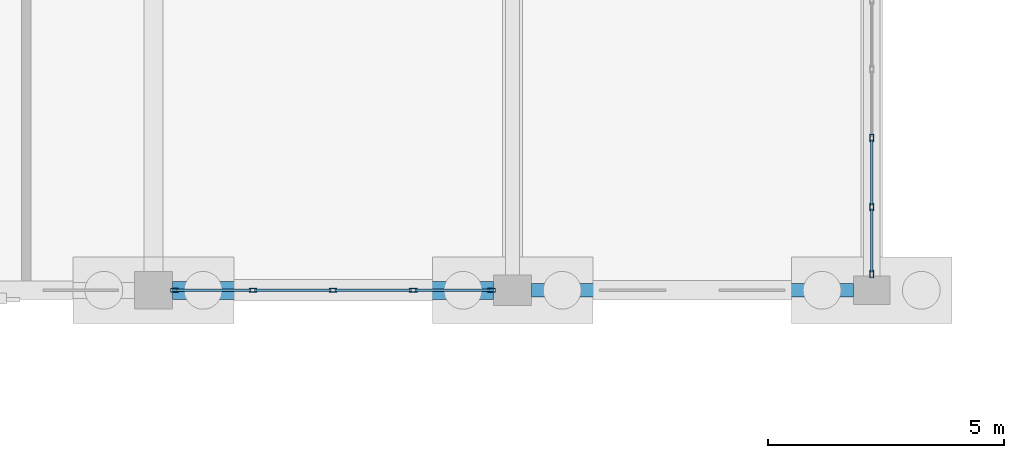
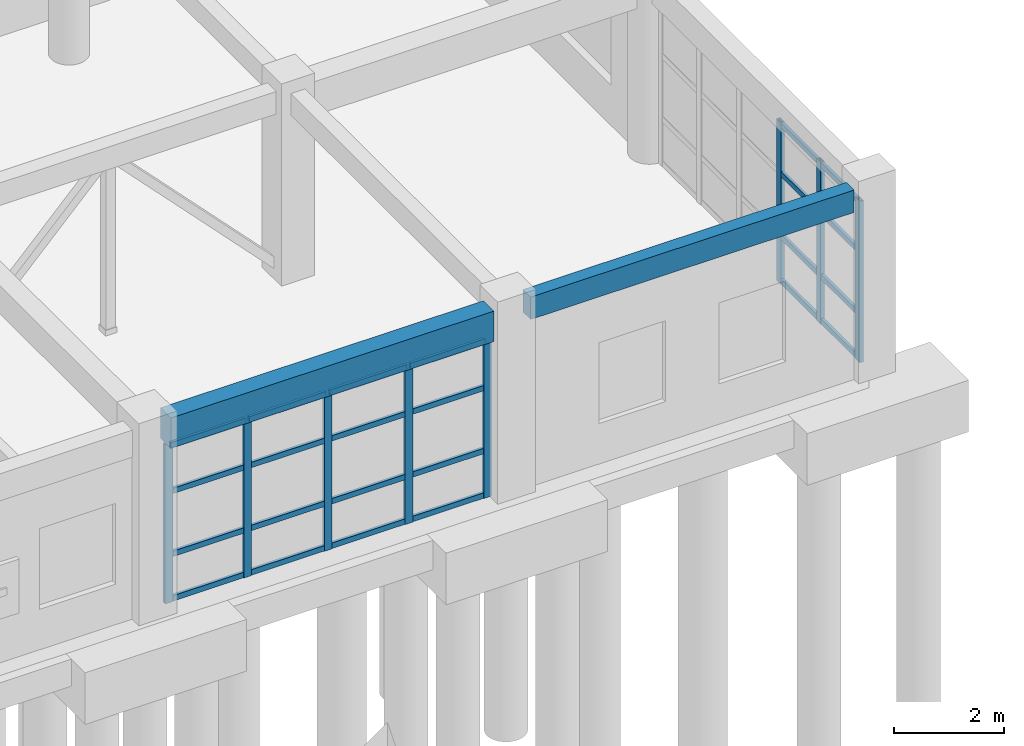
# One storey, part 89 of 166: 32 members, 2 beams, 2 elements without a shape of their own.
"""IFC4 building model written with IfcOpenShell, lengths in metres."""

from ifc_helpers import new_model, si_unit, direction, frame, origin, origin_2d, place, context, subcontext, project, spatial, rectangle, hollow_rectangle, extrude, material, material_profile, profile_set, type_object, element, aggregate, save


model = new_model("IFC4")

# Units and contexts
model_context = context("Model", 3, precision=1e-05, world=origin(), true_north=direction((0.0, 1.0)))
body_context = subcontext(model_context, "Body", "Model", "MODEL_VIEW")
ifc_project = project(units=[si_unit("LENGTHUNIT", "METRE"), si_unit("AREAUNIT", "SQUARE_METRE"), si_unit("VOLUMEUNIT", "CUBIC_METRE"), si_unit("PLANEANGLEUNIT", "RADIAN"), si_unit("MASSUNIT", "GRAM", prefix="KILO")], contexts=[model_context])

# Site, building, storey
site_placement = place(None, origin())
site = spatial("IfcSite", under=ifc_project, at=site_placement, CompositionType="ELEMENT")
building_placement = place(site_placement, origin())
building = spatial("IfcBuilding", under=site, at=building_placement, Name="Kharva Crest Polytechnic", CompositionType="ELEMENT")
storey_placement = place(building_placement, origin())
storey = spatial("IfcBuildingStorey", under=building, at=storey_placement, Name="L00", CompositionType="ELEMENT", Elevation=0.0)

# Curtain wall, members
ifc_material_1 = material(Name="Tempered insulated glass", Category="glass")
curtain_wall_type = type_object("IfcCurtainWallType", Name="CW-SYS-COURT", PredefinedType="USERDEFINED", material=ifc_material_1)
curtain_wall_1_placement = place(storey_placement, origin())
curtain_wall_1 = element("IfcCurtainWall", 1, at=curtain_wall_1_placement, inside=storey, type_object=curtain_wall_type, Name="L00 Glazed Curtain Wall CW-015", ObjectType="CURTAIN WALL", PredefinedType="USERDEFINED")
ifc_material_2 = material(Name="Steel S355", Category="steel")
ifc_material_profile_1 = material_profile(ifc_material_2, hollow_rectangle(XDim=0.080078125, YDim=0.159912109375, WallThickness=0.0048828125, at=origin_2d()), Name="RHS 160X80X5.0")
ifc_profile_set_1 = profile_set([ifc_material_profile_1], Name="Steel S355")
member_type_1 = type_object("IfcMemberType", Name="CWM-RHS160X80", PredefinedType="MULLION", material=ifc_profile_set_1)
member_1_placement = place(storey_placement, frame((169.2451171875, 38.800048828125, 0.0), z_axis=(0.0, 0.0, 1.0), x_axis=(0.0, 1.0, 0.0)))
member_1 = element("IfcMember", 2, at=member_1_placement, type_object=member_type_1, Name="CW-015 mullion 1", PredefinedType="MULLION", context=body_context, shape_type="SweptSolid", body=[
    extrude(hollow_rectangle(XDim=0.080078125, YDim=0.159912109375, WallThickness=0.0048828125, at=origin_2d()), origin(), (0.0, 0.0, 1.0), 3.5400390625),
])
member_2_placement = place(storey_placement, frame((170.902587890625, 38.800048828125, 0.0), z_axis=(0.0, 0.0, 1.0), x_axis=(0.0, 1.0, 0.0)))
member_2 = element("IfcMember", 3, at=member_2_placement, type_object=member_type_1, Name="CW-015 mullion 2", PredefinedType="MULLION", context=body_context, shape_type="SweptSolid", body=[
    extrude(hollow_rectangle(XDim=0.080078125, YDim=0.159912109375, WallThickness=0.0048828125, at=origin_2d()), origin(), (0.0, 0.0, 1.0), 3.5400390625),
])
member_3_placement = place(storey_placement, frame((172.60009765625, 38.800048828125, 0.0), z_axis=(0.0, 0.0, 1.0), x_axis=(0.0, 1.0, 0.0)))
member_3 = element("IfcMember", 4, at=member_3_placement, type_object=member_type_1, Name="CW-015 mullion 3", PredefinedType="MULLION", context=body_context, shape_type="SweptSolid", body=[
    extrude(hollow_rectangle(XDim=0.080078125, YDim=0.159912109375, WallThickness=0.0048828125, at=origin_2d()), origin(), (0.0, 0.0, 1.0), 3.5400390625),
])
member_4_placement = place(storey_placement, frame((174.297607421875, 38.800048828125, 0.0), z_axis=(0.0, 0.0, 1.0), x_axis=(0.0, 1.0, 0.0)))
member_4 = element("IfcMember", 5, at=member_4_placement, type_object=member_type_1, Name="CW-015 mullion 4", PredefinedType="MULLION", context=body_context, shape_type="SweptSolid", body=[
    extrude(hollow_rectangle(XDim=0.080078125, YDim=0.159912109375, WallThickness=0.0048828125, at=origin_2d()), origin(), (0.0, 0.0, 1.0), 3.5400390625),
])
member_5_placement = place(storey_placement, frame((175.955078125, 38.800048828125, 0.0), z_axis=(0.0, 0.0, 1.0), x_axis=(0.0, 1.0, 0.0)))
member_5 = element("IfcMember", 6, at=member_5_placement, type_object=member_type_1, Name="CW-015 mullion 5", PredefinedType="MULLION", context=body_context, shape_type="SweptSolid", body=[
    extrude(hollow_rectangle(XDim=0.080078125, YDim=0.159912109375, WallThickness=0.0048828125, at=origin_2d()), origin(), (0.0, 0.0, 1.0), 3.5400390625),
])

curtain_wall_2_placement = place(storey_placement, origin())
curtain_wall_2 = element("IfcCurtainWall", 7, at=curtain_wall_2_placement, inside=storey, type_object=curtain_wall_type, Name="L00 Glazed Curtain Wall CW-016", ObjectType="CURTAIN WALL", PredefinedType="USERDEFINED")
member_6_placement = place(storey_placement, frame((184.0, 39.14501953125, 0.0), z_axis=(0.0, 0.0, 1.0), x_axis=(-1.0, 0.0, 0.0)))
member_6 = element("IfcMember", 8, at=member_6_placement, type_object=member_type_1, Name="CW-016 mullion 1", PredefinedType="MULLION", context=body_context, shape_type="SweptSolid", body=[
    extrude(hollow_rectangle(XDim=0.080078125, YDim=0.159912109375, WallThickness=0.0048828125, at=origin_2d()), origin(), (0.0, 0.0, 1.0), 3.60009765625),
])
member_7_placement = place(storey_placement, frame((184.0, 40.56298828125, 0.0), z_axis=(0.0, 0.0, 1.0), x_axis=(-1.0, 0.0, 0.0)))
member_7 = element("IfcMember", 9, at=member_7_placement, type_object=member_type_1, Name="CW-016 mullion 2", PredefinedType="MULLION", context=body_context, shape_type="SweptSolid", body=[
    extrude(hollow_rectangle(XDim=0.080078125, YDim=0.159912109375, WallThickness=0.0048828125, at=origin_2d()), origin(), (0.0, 0.0, 1.0), 3.60009765625),
])
member_8_placement = place(storey_placement, frame((184.0, 42.02099609375, 0.0), z_axis=(0.0, 0.0, 1.0), x_axis=(-1.0, 0.0, 0.0)))
member_8 = element("IfcMember", 10, at=member_8_placement, type_object=member_type_1, Name="CW-016 mullion 3", PredefinedType="MULLION", context=body_context, shape_type="SweptSolid", body=[
    extrude(hollow_rectangle(XDim=0.080078125, YDim=0.159912109375, WallThickness=0.0048828125, at=origin_2d()), origin(), (0.0, 0.0, 1.0), 3.60009765625),
])

# Member
ifc_material_profile_2 = material_profile(ifc_material_2, hollow_rectangle(XDim=0.06005859375, YDim=0.1201171875, WallThickness=0.00390625, at=origin_2d()), Name="RHS 120X60X4.0")
ifc_profile_set_2 = profile_set([ifc_material_profile_2], Name="Steel S355")
member_type_2 = type_object("IfcMemberType", Name="CWT-RHS120X60", PredefinedType="USERDEFINED", material=ifc_profile_set_2)
member_9_placement = place(storey_placement, frame((169.284912109375, 38.800048828125, 0.06005859375), z_axis=(1.0, 0.0, 0.0), x_axis=(0.0, 1.0, 0.0)))
member_9 = element("IfcMember", 11, at=member_9_placement, type_object=member_type_2, Name="CW-015 transom 1.1", ObjectType="TRANSOM", PredefinedType="USERDEFINED", context=body_context, shape_type="SweptSolid", body=[
    extrude(hollow_rectangle(XDim=0.06005859375, YDim=0.1201171875, WallThickness=0.00390625, at=origin_2d()), origin(), (0.0, 0.0, 1.0), 1.57763671875),
])

member_10_placement = place(storey_placement, frame((169.284912109375, 38.800048828125, 1.050048828125), z_axis=(1.0, 0.0, 0.0), x_axis=(0.0, 1.0, 0.0)))
member_10 = element("IfcMember", 12, at=member_10_placement, type_object=member_type_2, Name="CW-015 transom 1.2", ObjectType="TRANSOM", PredefinedType="USERDEFINED", context=body_context, shape_type="SweptSolid", body=[
    extrude(hollow_rectangle(XDim=0.06005859375, YDim=0.1201171875, WallThickness=0.00390625, at=origin_2d()), origin(), (0.0, 0.0, 1.0), 1.57763671875),
])

member_11_placement = place(storey_placement, frame((169.284912109375, 38.800048828125, 2.449951171875), z_axis=(1.0, 0.0, 0.0), x_axis=(0.0, 1.0, 0.0)))
member_11 = element("IfcMember", 13, at=member_11_placement, type_object=member_type_2, Name="CW-015 transom 1.3", ObjectType="TRANSOM", PredefinedType="USERDEFINED", context=body_context, shape_type="SweptSolid", body=[
    extrude(hollow_rectangle(XDim=0.06005859375, YDim=0.1201171875, WallThickness=0.00390625, at=origin_2d()), origin(), (0.0, 0.0, 1.0), 1.57763671875),
])

member_12_placement = place(storey_placement, frame((169.284912109375, 38.800048828125, 3.47998046875), z_axis=(1.0, 0.0, 0.0), x_axis=(0.0, 1.0, 0.0)))
member_12 = element("IfcMember", 14, at=member_12_placement, type_object=member_type_2, Name="CW-015 transom 1.4", ObjectType="TRANSOM", PredefinedType="USERDEFINED", context=body_context, shape_type="SweptSolid", body=[
    extrude(hollow_rectangle(XDim=0.06005859375, YDim=0.1201171875, WallThickness=0.00390625, at=origin_2d()), origin(), (0.0, 0.0, 1.0), 1.57763671875),
])

member_13_placement = place(storey_placement, frame((170.9423828125, 38.800048828125, 0.06005859375), z_axis=(1.0, 0.0, 0.0), x_axis=(0.0, 1.0, 0.0)))
member_13 = element("IfcMember", 15, at=member_13_placement, type_object=member_type_2, Name="CW-015 transom 2.1", ObjectType="TRANSOM", PredefinedType="USERDEFINED", context=body_context, shape_type="SweptSolid", body=[
    extrude(hollow_rectangle(XDim=0.06005859375, YDim=0.1201171875, WallThickness=0.00390625, at=origin_2d()), origin(), (0.0, 0.0, 1.0), 1.61767578125),
])

member_14_placement = place(storey_placement, frame((170.9423828125, 38.800048828125, 1.050048828125), z_axis=(1.0, 0.0, 0.0), x_axis=(0.0, 1.0, 0.0)))
member_14 = element("IfcMember", 16, at=member_14_placement, type_object=member_type_2, Name="CW-015 transom 2.2", ObjectType="TRANSOM", PredefinedType="USERDEFINED", context=body_context, shape_type="SweptSolid", body=[
    extrude(hollow_rectangle(XDim=0.06005859375, YDim=0.1201171875, WallThickness=0.00390625, at=origin_2d()), origin(), (0.0, 0.0, 1.0), 1.61767578125),
])

member_15_placement = place(storey_placement, frame((170.9423828125, 38.800048828125, 2.449951171875), z_axis=(1.0, 0.0, 0.0), x_axis=(0.0, 1.0, 0.0)))
member_15 = element("IfcMember", 17, at=member_15_placement, type_object=member_type_2, Name="CW-015 transom 2.3", ObjectType="TRANSOM", PredefinedType="USERDEFINED", context=body_context, shape_type="SweptSolid", body=[
    extrude(hollow_rectangle(XDim=0.06005859375, YDim=0.1201171875, WallThickness=0.00390625, at=origin_2d()), origin(), (0.0, 0.0, 1.0), 1.61767578125),
])

member_16_placement = place(storey_placement, frame((170.9423828125, 38.800048828125, 3.47998046875), z_axis=(1.0, 0.0, 0.0), x_axis=(0.0, 1.0, 0.0)))
member_16 = element("IfcMember", 18, at=member_16_placement, type_object=member_type_2, Name="CW-015 transom 2.4", ObjectType="TRANSOM", PredefinedType="USERDEFINED", context=body_context, shape_type="SweptSolid", body=[
    extrude(hollow_rectangle(XDim=0.06005859375, YDim=0.1201171875, WallThickness=0.00390625, at=origin_2d()), origin(), (0.0, 0.0, 1.0), 1.61767578125),
])

member_17_placement = place(storey_placement, frame((172.639892578125, 38.800048828125, 0.06005859375), z_axis=(1.0, 0.0, 0.0), x_axis=(0.0, 1.0, 0.0)))
member_17 = element("IfcMember", 19, at=member_17_placement, type_object=member_type_2, Name="CW-015 transom 3.1", ObjectType="TRANSOM", PredefinedType="USERDEFINED", context=body_context, shape_type="SweptSolid", body=[
    extrude(hollow_rectangle(XDim=0.06005859375, YDim=0.1201171875, WallThickness=0.00390625, at=origin_2d()), origin(), (0.0, 0.0, 1.0), 1.61767578125),
])

member_18_placement = place(storey_placement, frame((172.639892578125, 38.800048828125, 1.050048828125), z_axis=(1.0, 0.0, 0.0), x_axis=(0.0, 1.0, 0.0)))
member_18 = element("IfcMember", 20, at=member_18_placement, type_object=member_type_2, Name="CW-015 transom 3.2", ObjectType="TRANSOM", PredefinedType="USERDEFINED", context=body_context, shape_type="SweptSolid", body=[
    extrude(hollow_rectangle(XDim=0.06005859375, YDim=0.1201171875, WallThickness=0.00390625, at=origin_2d()), origin(), (0.0, 0.0, 1.0), 1.61767578125),
])

member_19_placement = place(storey_placement, frame((172.639892578125, 38.800048828125, 2.449951171875), z_axis=(1.0, 0.0, 0.0), x_axis=(0.0, 1.0, 0.0)))
member_19 = element("IfcMember", 21, at=member_19_placement, type_object=member_type_2, Name="CW-015 transom 3.3", ObjectType="TRANSOM", PredefinedType="USERDEFINED", context=body_context, shape_type="SweptSolid", body=[
    extrude(hollow_rectangle(XDim=0.06005859375, YDim=0.1201171875, WallThickness=0.00390625, at=origin_2d()), origin(), (0.0, 0.0, 1.0), 1.61767578125),
])

member_20_placement = place(storey_placement, frame((172.639892578125, 38.800048828125, 3.47998046875), z_axis=(1.0, 0.0, 0.0), x_axis=(0.0, 1.0, 0.0)))
member_20 = element("IfcMember", 22, at=member_20_placement, type_object=member_type_2, Name="CW-015 transom 3.4", ObjectType="TRANSOM", PredefinedType="USERDEFINED", context=body_context, shape_type="SweptSolid", body=[
    extrude(hollow_rectangle(XDim=0.06005859375, YDim=0.1201171875, WallThickness=0.00390625, at=origin_2d()), origin(), (0.0, 0.0, 1.0), 1.61767578125),
])

member_21_placement = place(storey_placement, frame((174.33740234375, 38.800048828125, 0.06005859375), z_axis=(1.0, 0.0, 0.0), x_axis=(0.0, 1.0, 0.0)))
member_21 = element("IfcMember", 23, at=member_21_placement, type_object=member_type_2, Name="CW-015 transom 4.1", ObjectType="TRANSOM", PredefinedType="USERDEFINED", context=body_context, shape_type="SweptSolid", body=[
    extrude(hollow_rectangle(XDim=0.06005859375, YDim=0.1201171875, WallThickness=0.00390625, at=origin_2d()), origin(), (0.0, 0.0, 1.0), 1.57763671875),
])

member_22_placement = place(storey_placement, frame((174.33740234375, 38.800048828125, 1.050048828125), z_axis=(1.0, 0.0, 0.0), x_axis=(0.0, 1.0, 0.0)))
member_22 = element("IfcMember", 24, at=member_22_placement, type_object=member_type_2, Name="CW-015 transom 4.2", ObjectType="TRANSOM", PredefinedType="USERDEFINED", context=body_context, shape_type="SweptSolid", body=[
    extrude(hollow_rectangle(XDim=0.06005859375, YDim=0.1201171875, WallThickness=0.00390625, at=origin_2d()), origin(), (0.0, 0.0, 1.0), 1.57763671875),
])

member_23_placement = place(storey_placement, frame((174.33740234375, 38.800048828125, 2.449951171875), z_axis=(1.0, 0.0, 0.0), x_axis=(0.0, 1.0, 0.0)))
member_23 = element("IfcMember", 25, at=member_23_placement, type_object=member_type_2, Name="CW-015 transom 4.3", ObjectType="TRANSOM", PredefinedType="USERDEFINED", context=body_context, shape_type="SweptSolid", body=[
    extrude(hollow_rectangle(XDim=0.06005859375, YDim=0.1201171875, WallThickness=0.00390625, at=origin_2d()), origin(), (0.0, 0.0, 1.0), 1.57763671875),
])

member_24_placement = place(storey_placement, frame((174.33740234375, 38.800048828125, 3.47998046875), z_axis=(1.0, 0.0, 0.0), x_axis=(0.0, 1.0, 0.0)))
member_24 = element("IfcMember", 26, at=member_24_placement, type_object=member_type_2, Name="CW-015 transom 4.4", ObjectType="TRANSOM", PredefinedType="USERDEFINED", context=body_context, shape_type="SweptSolid", body=[
    extrude(hollow_rectangle(XDim=0.06005859375, YDim=0.1201171875, WallThickness=0.00390625, at=origin_2d()), origin(), (0.0, 0.0, 1.0), 1.57763671875),
])

aggregate(curtain_wall_1, [member_1, member_2, member_3, member_4, member_5, member_9, member_10, member_11, member_12, member_13, member_14, member_15, member_16, member_17, member_18, member_19, member_20, member_21, member_22, member_23, member_24])

member_25_placement = place(storey_placement, frame((184.0, 39.18505859375, 0.06005859375), z_axis=(0.0, 1.0, 0.0), x_axis=(-1.0, 0.0, 0.0)))
member_25 = element("IfcMember", 27, at=member_25_placement, type_object=member_type_2, Name="CW-016 transom 1.1", ObjectType="TRANSOM", PredefinedType="USERDEFINED", context=body_context, shape_type="SweptSolid", body=[
    extrude(hollow_rectangle(XDim=0.06005859375, YDim=0.1201171875, WallThickness=0.00390625, at=origin_2d()), origin(), (0.0, 0.0, 1.0), 1.337890625),
])

member_26_placement = place(storey_placement, frame((184.0, 39.18505859375, 1.050048828125), z_axis=(0.0, 1.0, 0.0), x_axis=(-1.0, 0.0, 0.0)))
member_26 = element("IfcMember", 28, at=member_26_placement, type_object=member_type_2, Name="CW-016 transom 1.2", ObjectType="TRANSOM", PredefinedType="USERDEFINED", context=body_context, shape_type="SweptSolid", body=[
    extrude(hollow_rectangle(XDim=0.06005859375, YDim=0.1201171875, WallThickness=0.00390625, at=origin_2d()), origin(), (0.0, 0.0, 1.0), 1.337890625),
])

member_27_placement = place(storey_placement, frame((184.0, 39.18505859375, 2.449951171875), z_axis=(0.0, 1.0, 0.0), x_axis=(-1.0, 0.0, 0.0)))
member_27 = element("IfcMember", 29, at=member_27_placement, type_object=member_type_2, Name="CW-016 transom 1.3", ObjectType="TRANSOM", PredefinedType="USERDEFINED", context=body_context, shape_type="SweptSolid", body=[
    extrude(hollow_rectangle(XDim=0.06005859375, YDim=0.1201171875, WallThickness=0.00390625, at=origin_2d()), origin(), (0.0, 0.0, 1.0), 1.337890625),
])

member_28_placement = place(storey_placement, frame((184.0, 39.18505859375, 3.5400390625), z_axis=(0.0, 1.0, 0.0), x_axis=(-1.0, 0.0, 0.0)))
member_28 = element("IfcMember", 30, at=member_28_placement, type_object=member_type_2, Name="CW-016 transom 1.4", ObjectType="TRANSOM", PredefinedType="USERDEFINED", context=body_context, shape_type="SweptSolid", body=[
    extrude(hollow_rectangle(XDim=0.06005859375, YDim=0.1201171875, WallThickness=0.00390625, at=origin_2d()), origin(), (0.0, 0.0, 1.0), 1.337890625),
])

member_29_placement = place(storey_placement, frame((184.0, 40.60302734375, 0.06005859375), z_axis=(0.0, 1.0, 0.0), x_axis=(-1.0, 0.0, 0.0)))
member_29 = element("IfcMember", 31, at=member_29_placement, type_object=member_type_2, Name="CW-016 transom 2.1", ObjectType="TRANSOM", PredefinedType="USERDEFINED", context=body_context, shape_type="SweptSolid", body=[
    extrude(hollow_rectangle(XDim=0.06005859375, YDim=0.1201171875, WallThickness=0.00390625, at=origin_2d()), origin(), (0.0, 0.0, 1.0), 1.3779296875),
])

member_30_placement = place(storey_placement, frame((184.0, 40.60302734375, 1.050048828125), z_axis=(0.0, 1.0, 0.0), x_axis=(-1.0, 0.0, 0.0)))
member_30 = element("IfcMember", 32, at=member_30_placement, type_object=member_type_2, Name="CW-016 transom 2.2", ObjectType="TRANSOM", PredefinedType="USERDEFINED", context=body_context, shape_type="SweptSolid", body=[
    extrude(hollow_rectangle(XDim=0.06005859375, YDim=0.1201171875, WallThickness=0.00390625, at=origin_2d()), origin(), (0.0, 0.0, 1.0), 1.3779296875),
])

member_31_placement = place(storey_placement, frame((184.0, 40.60302734375, 2.449951171875), z_axis=(0.0, 1.0, 0.0), x_axis=(-1.0, 0.0, 0.0)))
member_31 = element("IfcMember", 33, at=member_31_placement, type_object=member_type_2, Name="CW-016 transom 2.3", ObjectType="TRANSOM", PredefinedType="USERDEFINED", context=body_context, shape_type="SweptSolid", body=[
    extrude(hollow_rectangle(XDim=0.06005859375, YDim=0.1201171875, WallThickness=0.00390625, at=origin_2d()), origin(), (0.0, 0.0, 1.0), 1.3779296875),
])

member_32_placement = place(storey_placement, frame((184.0, 40.60302734375, 3.5400390625), z_axis=(0.0, 1.0, 0.0), x_axis=(-1.0, 0.0, 0.0)))
member_32 = element("IfcMember", 34, at=member_32_placement, type_object=member_type_2, Name="CW-016 transom 2.4", ObjectType="TRANSOM", PredefinedType="USERDEFINED", context=body_context, shape_type="SweptSolid", body=[
    extrude(hollow_rectangle(XDim=0.06005859375, YDim=0.1201171875, WallThickness=0.00390625, at=origin_2d()), origin(), (0.0, 0.0, 1.0), 1.3779296875),
])

aggregate(curtain_wall_2, [member_6, member_7, member_8, member_25, member_26, member_27, member_28, member_29, member_30, member_31, member_32])

# Beams
ifc_material_3 = material(Name="Concrete C35/45", Category="concrete")
ifc_material_profile_3 = material_profile(ifc_material_3, rectangle(XDim=0.280029296875, YDim=0.5, at=origin_2d()), Name="RECT 280 X 500")
ifc_profile_set_3 = profile_set([ifc_material_profile_3], Name="Concrete C35/45")
beam_type_1 = type_object("IfcBeamType", Name="SP-RC-280X500", PredefinedType="SPANDREL", material=ifc_profile_set_3)
beam_1_placement = place(storey_placement, frame((176.800048828125, 38.800048828125, 3.969970703125), z_axis=(1.0, 0.0, 0.0), x_axis=(0.0, 1.0, 0.0)))
element("IfcBeam", 35, at=beam_1_placement, inside=storey, type_object=beam_type_1, Name="L00 Beam FJ/23-24", PredefinedType="SPANDREL", context=body_context, shape_type="SweptSolid", body=[
    extrude(rectangle(XDim=0.280029296875, YDim=0.5, at=origin_2d()), origin(), (0.0, 0.0, 1.0), 6.81005859375),
])
ifc_material_profile_4 = material_profile(ifc_material_3, rectangle(XDim=0.3798828125, YDim=0.679931640625, at=origin_2d()), Name="RECT 380 X 680")
ifc_profile_set_4 = profile_set([ifc_material_profile_4], Name="Concrete C35/45")
beam_type_2 = type_object("IfcBeamType", Name="SP-RC-380X680", PredefinedType="SPANDREL", material=ifc_profile_set_4)
beam_2_placement = place(storey_placement, frame((169.199951171875, 38.800048828125, 3.8798828125), z_axis=(1.0, 0.0, 0.0), x_axis=(0.0, 1.0, 0.0)))
element("IfcBeam", 36, at=beam_2_placement, inside=storey, type_object=beam_type_2, Name="L00 Beam FJ/22-23", PredefinedType="SPANDREL", context=body_context, shape_type="SweptSolid", body=[
    extrude(rectangle(XDim=0.3798828125, YDim=0.679931640625, at=origin_2d()), origin(), (0.0, 0.0, 1.0), 6.800048828125),
])

save(model, "model.ifc")
